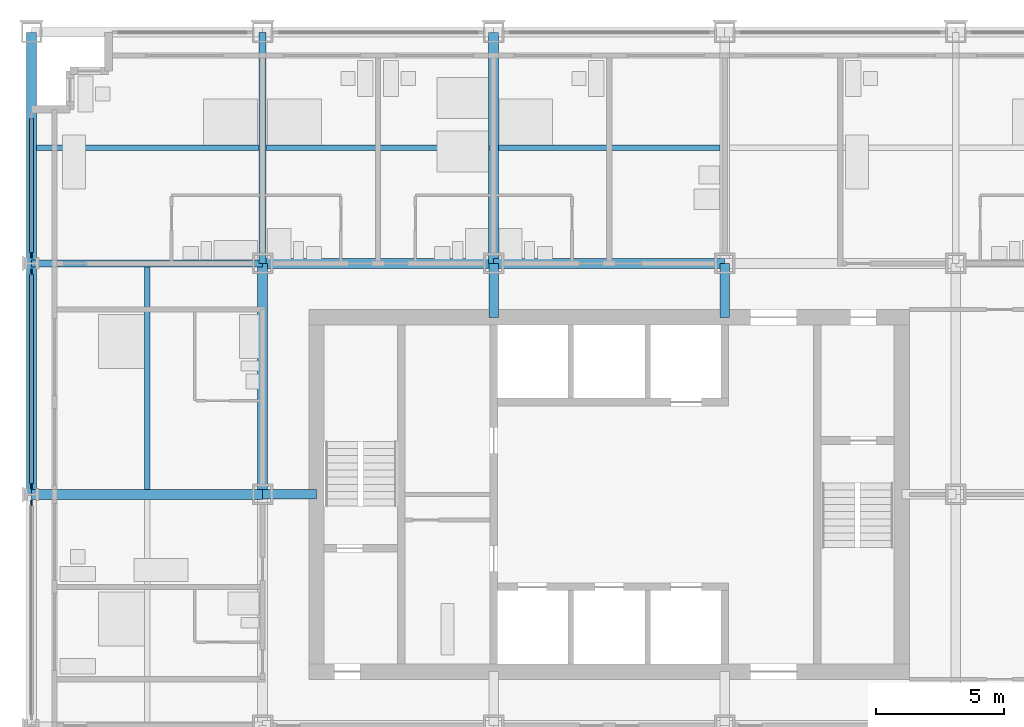
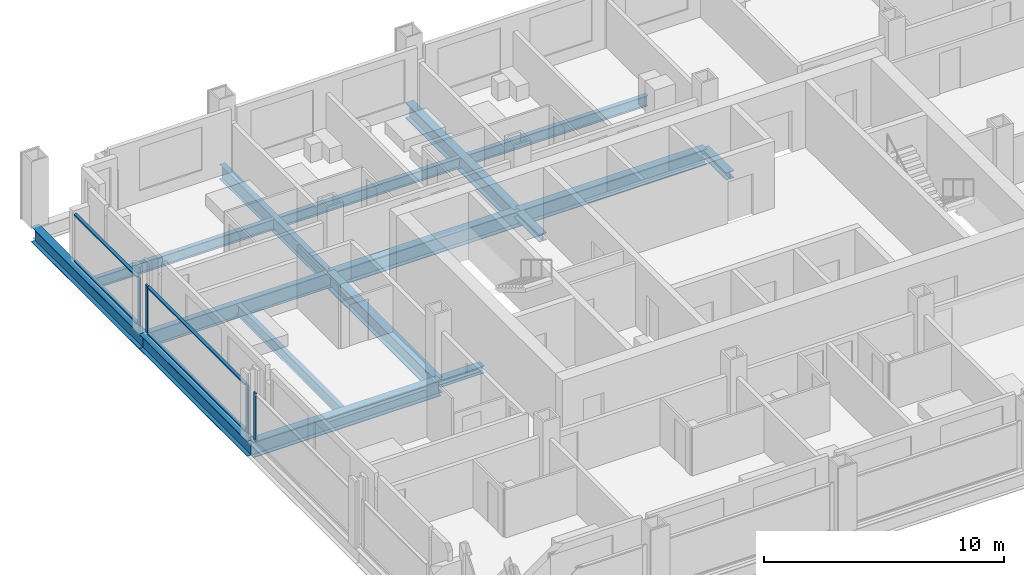
# One storey, part 4 of 18: 13 beams, 11 members, 3 elements without a shape of their own.
"""IFC4 building model written with IfcOpenShell, lengths in metres."""

from ifc_helpers import new_model, si_unit, direction, frame, origin, origin_2d, place, context, subcontext, project, spatial, rectangle, i_section, extrude, material, material_profile, profile_set, type_object, element, aggregate, save


model = new_model("IFC4")

# Units and contexts
model_context = context("Model", 3, precision=1e-05, world=origin(), true_north=direction((0.0, 1.0)))
body_context = subcontext(model_context, "Body", "Model", "MODEL_VIEW")
ifc_project = project(units=[si_unit("LENGTHUNIT", "METRE"), si_unit("AREAUNIT", "SQUARE_METRE"), si_unit("VOLUMEUNIT", "CUBIC_METRE"), si_unit("PLANEANGLEUNIT", "RADIAN"), si_unit("MASSUNIT", "GRAM", prefix="KILO")], contexts=[model_context])

# Site, building, storey
site_placement = place(None, origin())
site = spatial("IfcSite", under=ifc_project, at=site_placement, CompositionType="ELEMENT")
building_placement = place(site_placement, origin())
building = spatial("IfcBuilding", under=site, at=building_placement, Name="Loomwork Tower", CompositionType="ELEMENT")
storey_placement = place(building_placement, frame((0.0, 0.0, 62.0)))
storey = spatial("IfcBuildingStorey", under=building, at=storey_placement, Name="L15", CompositionType="ELEMENT", Elevation=62.0)

# Beams
ifc_material_1 = material(Name="Steel ASTM A992", Category="steel")
ifc_material_profile_1 = material_profile(ifc_material_1, i_section(OverallWidth=0.383544921875, OverallDepth=0.794921875, WebThickness=0.02099609375, FlangeThickness=0.0380859375, at=origin_2d()), Name="W30x235")
ifc_profile_set_1 = profile_set([ifc_material_profile_1], Name="Steel ASTM A992")
beam_type_1 = type_object("IfcBeamType", Name="CORE FLANK GIRDER W30x235", PredefinedType="BEAM", material=ifc_profile_set_1)
for number, where, z_axis, x_axis, name in (
    (1, (0.0, 18.0, -0.597412109375), (1.0, 0.0, 0.0), (0.0, 1.0, 0.0), "Core Flank Girder F/2-F/3 L15"),
    (2, (9.0, 27.0, -0.597412109375), (1.0, 0.0, 0.0), (0.0, 1.0, 0.0), "Core Flank Girder G/3-G/4 L15"),
    (3, (18.0, 27.0, -0.597412109375), (1.0, 0.0, 0.0), (0.0, 1.0, 0.0), "Core Flank Girder G/4-G/5 L15"),
    (4, (9.0, 18.0, -0.597412109375), (0.0, 1.0, 0.0), (-1.0, 0.0, 0.0), "Core Flank Girder F/3-G/3 L15"),
    (5, (18.0, 27.0, -0.597412109375), (0.0, 1.0, 0.0), (-1.0, 0.0, 0.0), "Core Flank Girder G/4-H/4 L15"),
):
    element("IfcBeam", number, at=place(storey_placement, frame(where, z_axis=z_axis, x_axis=x_axis)), inside=storey, type_object=beam_type_1, Name=name, PredefinedType="BEAM", context=body_context, shape_type="SweptSolid", body=[
        extrude(i_section(OverallWidth=0.383544921875, OverallDepth=0.794921875, WebThickness=0.02099609375, FlangeThickness=0.0380859375, at=origin_2d()), origin(), (0.0, 0.0, 1.0), 9.0),
    ])

# Members
ifc_material_2 = material(Name="Steel ASTM A992", Category="steel")
ifc_material_profile_2 = material_profile(ifc_material_2, i_section(OverallWidth=0.373291015625, OverallDepth=0.373291015625, WebThickness=0.016357421875, FlangeThickness=0.026123046875, at=origin_2d()), Name="W14x132")
ifc_profile_set_2 = profile_set([ifc_material_profile_2], Name="Steel ASTM A992")
member_type_1 = type_object("IfcMemberType", Name="CORE LINK STRUT W14x132", PredefinedType="STRUT", material=ifc_profile_set_2)
for number, where, z_axis, x_axis, name in (
    (6, (27.0, 27.0, -0.38671875), (0.0, -1.0, 0.0), (1.0, 0.0, 0.0), "Core link strut G/5-27.000,24.900 L15"),
    (7, (18.0, 27.0, -0.38671875), (0.0, -1.0, 0.0), (1.0, 0.0, 0.0), "Core link strut G/4-18.000,24.900 L15"),
    (8, (9.0, 18.0, -0.38671875), (1.0, 0.0, 0.0), (0.0, 1.0, 0.0), "Core link strut F/3-11.100,18.000 L15"),
):
    element("IfcMember", number, at=place(storey_placement, frame(where, z_axis=z_axis, x_axis=x_axis)), inside=storey, type_object=member_type_1, Name=name, PredefinedType="STRUT", context=body_context, shape_type="SweptSolid", body=[
        extrude(i_section(OverallWidth=0.373291015625, OverallDepth=0.373291015625, WebThickness=0.016357421875, FlangeThickness=0.026123046875, at=origin_2d()), origin(), (0.0, 0.0, 1.0), 2.10009765625),
    ])

# Beams
ifc_material_3 = material(Name="Steel ASTM A992", Category="steel")
ifc_material_profile_3 = material_profile(ifc_material_3, i_section(OverallWidth=0.2666015625, OverallDepth=0.761962890625, WebThickness=0.014404296875, FlangeThickness=0.021484375, at=origin_2d()), Name="W30x116")
ifc_profile_set_3 = profile_set([ifc_material_profile_3], Name="Steel ASTM A992")
beam_type_2 = type_object("IfcBeamType", Name="FLOOR GIRDER W30x116", PredefinedType="BEAM", material=ifc_profile_set_3)
for number, where, z_axis, x_axis, name in (
    (9, (0.0, 27.0, -0.5810546875), (1.0, 0.0, 0.0), (0.0, 1.0, 0.0), "Floor Girder G/2-G/3 L15"),
    (10, (9.0, 27.0, -0.5810546875), (0.0, 1.0, 0.0), (-1.0, 0.0, 0.0), "Floor Girder G/3-H/3 L15"),
):
    element("IfcBeam", number, at=place(storey_placement, frame(where, z_axis=z_axis, x_axis=x_axis)), inside=storey, type_object=beam_type_2, Name=name, PredefinedType="BEAM", context=body_context, shape_type="SweptSolid", body=[
        extrude(i_section(OverallWidth=0.2666015625, OverallDepth=0.761962890625, WebThickness=0.014404296875, FlangeThickness=0.021484375, at=origin_2d()), origin(), (0.0, 0.0, 1.0), 9.0),
    ])
ifc_material_4 = material(Name="Steel ASTM A992", Category="steel")
ifc_material_profile_4 = material_profile(ifc_material_4, i_section(OverallWidth=0.2109375, OverallDepth=0.53857421875, WebThickness=0.011474609375, FlangeThickness=0.018798828125, at=origin_2d()), Name="W21x73")
ifc_profile_set_4 = profile_set([ifc_material_profile_4], Name="Steel ASTM A992")
beam_type_3 = type_object("IfcBeamType", Name="FLOOR JOIST W21x73", PredefinedType="JOIST", material=ifc_profile_set_4)
beam_1_placement = place(storey_placement, frame((4.5, 18.19091796875, -0.46923828125), z_axis=(0.0, 1.0, 0.0), x_axis=(-1.0, 0.0, 0.0)))
element("IfcBeam", 11, at=beam_1_placement, inside=storey, type_object=beam_type_3, Name="Floor Joist 4.500,18.000-4.500,27.000 L15", PredefinedType="JOIST", context=body_context, shape_type="SweptSolid", body=[
    extrude(i_section(OverallWidth=0.2109375, OverallDepth=0.53857421875, WebThickness=0.011474609375, FlangeThickness=0.018798828125, at=origin_2d()), origin(), (0.0, 0.0, 1.0), 8.676025390625),
])
beam_2_placement = place(storey_placement, frame((0.18994140625, 31.5, -0.46923828125), z_axis=(1.0, 0.0, 0.0), x_axis=(0.0, 1.0, 0.0)))
element("IfcBeam", 12, at=beam_2_placement, inside=storey, type_object=beam_type_3, Name="Floor Joist 0.000,31.500-9.000,31.500 L15", PredefinedType="JOIST", context=body_context, shape_type="SweptSolid", body=[
    extrude(i_section(OverallWidth=0.2109375, OverallDepth=0.53857421875, WebThickness=0.011474609375, FlangeThickness=0.018798828125, at=origin_2d()), origin(), (0.0, 0.0, 1.0), 8.677001953125),
])
beam_3_placement = place(storey_placement, frame((9.133056640625, 31.5, -0.46923828125), z_axis=(1.0, 0.0, 0.0), x_axis=(0.0, 1.0, 0.0)))
element("IfcBeam", 13, at=beam_3_placement, inside=storey, type_object=beam_type_3, Name="Floor Joist 9.000,31.500-18.000,31.500 L15", PredefinedType="JOIST", context=body_context, shape_type="SweptSolid", body=[
    extrude(i_section(OverallWidth=0.2109375, OverallDepth=0.53857421875, WebThickness=0.011474609375, FlangeThickness=0.018798828125, at=origin_2d()), origin(), (0.0, 0.0, 1.0), 8.676025390625),
])
beam_4_placement = place(storey_placement, frame((18.19091796875, 31.5, -0.46923828125), z_axis=(1.0, 0.0, 0.0), x_axis=(0.0, 1.0, 0.0)))
element("IfcBeam", 14, at=beam_4_placement, inside=storey, type_object=beam_type_3, Name="Floor Joist 18.000,31.500-27.000,31.500 L15", PredefinedType="JOIST", context=body_context, shape_type="SweptSolid", body=[
    extrude(i_section(OverallWidth=0.2109375, OverallDepth=0.53857421875, WebThickness=0.011474609375, FlangeThickness=0.018798828125, at=origin_2d()), origin(), (0.0, 0.0, 1.0), 8.6181640625),
])

# Curtain wall, member
ifc_material_5 = material(Name="Aluminium curtain wall frame", Category="aluminium")
curtain_wall_type = type_object("IfcCurtainWallType", Name="Outer skin glazing hotel", PredefinedType="NOTDEFINED", material=ifc_material_5)
curtain_wall_1_placement = place(storey_placement, origin())
curtain_wall_1 = element("IfcCurtainWall", 15, at=curtain_wall_1_placement, inside=storey, type_object=curtain_wall_type, Name="Outer skin glazing hotel cw/W-9", PredefinedType="NOTDEFINED")
ifc_material_6 = material(Name="Aluminium curtain wall frame", Category="aluminium")
ifc_material_profile_5 = material_profile(ifc_material_6, rectangle(XDim=0.06494140625, YDim=0.199951171875, at=origin_2d()), Name="AL 65x200")
ifc_profile_set_5 = profile_set([ifc_material_profile_5], Name="Aluminium curtain wall frame")
member_type_2 = type_object("IfcMemberType", Name="Outer skin glazing hotel mullion", PredefinedType="MULLION", material=ifc_profile_set_5)
member_1_placement = place(storey_placement, frame((0.0, 17.672607421875, 0.0), z_axis=(0.0, 0.0, 1.0), x_axis=(1.0, 0.0, 0.0)))
member_1 = element("IfcMember", 16, at=member_1_placement, type_object=member_type_2, Name="CW1 mullion 1", PredefinedType="MULLION", context=body_context, shape_type="SweptSolid", body=[
    extrude(rectangle(XDim=0.06494140625, YDim=0.199951171875, at=origin_2d()), origin(), (0.0, 0.0, 1.0), 2.420166015625),
])
aggregate(curtain_wall_1, [member_1])

# Curtain wall, members
curtain_wall_2_placement = place(storey_placement, origin())
curtain_wall_2 = element("IfcCurtainWall", 17, at=curtain_wall_2_placement, inside=storey, type_object=curtain_wall_type, Name="Outer skin glazing hotel cw/W-18", PredefinedType="NOTDEFINED")
member_2_placement = place(storey_placement, frame((0.0, 26.672607421875, 0.0), z_axis=(0.0, 0.0, 1.0), x_axis=(1.0, 0.0, 0.0)))
member_2 = element("IfcMember", 18, at=member_2_placement, type_object=member_type_2, Name="CW1 mullion 1", PredefinedType="MULLION", context=body_context, shape_type="SweptSolid", body=[
    extrude(rectangle(XDim=0.06494140625, YDim=0.199951171875, at=origin_2d()), origin(), (0.0, 0.0, 1.0), 2.420166015625),
])
member_3_placement = place(storey_placement, frame((0.0, 18.327392578125, 0.0), z_axis=(0.0, 0.0, 1.0), x_axis=(1.0, 0.0, 0.0)))
member_3 = element("IfcMember", 19, at=member_3_placement, type_object=member_type_2, Name="CW1 mullion 2", PredefinedType="MULLION", context=body_context, shape_type="SweptSolid", body=[
    extrude(rectangle(XDim=0.06494140625, YDim=0.199951171875, at=origin_2d()), origin(), (0.0, 0.0, 1.0), 2.420166015625),
])

# Curtain wall, member
curtain_wall_3_placement = place(storey_placement, origin())
curtain_wall_3 = element("IfcCurtainWall", 20, at=curtain_wall_3_placement, inside=storey, type_object=curtain_wall_type, Name="Outer skin glazing hotel cw/W-27", PredefinedType="NOTDEFINED")
member_4_placement = place(storey_placement, frame((0.0, 27.327392578125, 0.0), z_axis=(0.0, 0.0, 1.0), x_axis=(1.0, 0.0, 0.0)))
member_4 = element("IfcMember", 21, at=member_4_placement, type_object=member_type_2, Name="CW1 mullion 2", PredefinedType="MULLION", context=body_context, shape_type="SweptSolid", body=[
    extrude(rectangle(XDim=0.06494140625, YDim=0.199951171875, at=origin_2d()), origin(), (0.0, 0.0, 1.0), 2.420166015625),
])

# Member
ifc_material_7 = material(Name="Aluminium curtain wall frame", Category="aluminium")
ifc_material_profile_6 = material_profile(ifc_material_7, rectangle(XDim=0.14990234375, YDim=0.06494140625, at=origin_2d()), Name="AL 65x150")
ifc_profile_set_6 = profile_set([ifc_material_profile_6], Name="Aluminium curtain wall frame")
member_type_3 = type_object("IfcMemberType", Name="Outer skin glazing hotel transom", PredefinedType="USERDEFINED", material=ifc_profile_set_6)
member_5_placement = place(storey_placement, frame((0.0, 26.57275390625, 0.032470703125), z_axis=(0.0, -1.0, 0.0), x_axis=(1.0, 0.0, 0.0)))
member_5 = element("IfcMember", 22, at=member_5_placement, type_object=member_type_3, Name="CW1 transom 1.1", ObjectType="TRANSOM", PredefinedType="USERDEFINED", context=body_context, shape_type="SweptSolid", body=[
    extrude(rectangle(XDim=0.14990234375, YDim=0.06494140625, at=origin_2d()), origin(), (0.0, 0.0, 1.0), 8.1455078125),
])

member_6_placement = place(storey_placement, frame((0.0, 26.57275390625, 2.3876953125), z_axis=(0.0, -1.0, 0.0), x_axis=(1.0, 0.0, 0.0)))
member_6 = element("IfcMember", 23, at=member_6_placement, type_object=member_type_3, Name="CW1 transom 1.2", ObjectType="TRANSOM", PredefinedType="USERDEFINED", context=body_context, shape_type="SweptSolid", body=[
    extrude(rectangle(XDim=0.14990234375, YDim=0.06494140625, at=origin_2d()), origin(), (0.0, 0.0, 1.0), 8.1455078125),
])

aggregate(curtain_wall_2, [member_2, member_3, member_5, member_6])

member_7_placement = place(storey_placement, frame((0.0, 32.64990234375, 0.032470703125), z_axis=(0.0, -1.0, 0.0), x_axis=(1.0, 0.0, 0.0)))
member_7 = element("IfcMember", 24, at=member_7_placement, type_object=member_type_3, Name="CW1 transom 1.1", ObjectType="TRANSOM", PredefinedType="USERDEFINED", context=body_context, shape_type="SweptSolid", body=[
    extrude(rectangle(XDim=0.14990234375, YDim=0.06494140625, at=origin_2d()), origin(), (0.0, 0.0, 1.0), 5.22265625),
])

member_8_placement = place(storey_placement, frame((0.0, 32.64990234375, 2.3876953125), z_axis=(0.0, -1.0, 0.0), x_axis=(1.0, 0.0, 0.0)))
member_8 = element("IfcMember", 25, at=member_8_placement, type_object=member_type_3, Name="CW1 transom 1.2", ObjectType="TRANSOM", PredefinedType="USERDEFINED", context=body_context, shape_type="SweptSolid", body=[
    extrude(rectangle(XDim=0.14990234375, YDim=0.06494140625, at=origin_2d()), origin(), (0.0, 0.0, 1.0), 5.22265625),
])

aggregate(curtain_wall_3, [member_4, member_7, member_8])

# Beams
ifc_material_8 = material(Name="Steel ASTM A992", Category="steel")
ifc_material_profile_7 = material_profile(ifc_material_8, i_section(OverallWidth=0.381103515625, OverallDepth=0.77978515625, WebThickness=0.01806640625, FlangeThickness=0.0302734375, at=origin_2d()), Name="W30x191")
ifc_profile_set_7 = profile_set([ifc_material_profile_7], Name="Steel ASTM A992")
beam_type_4 = type_object("IfcBeamType", Name="SPANDREL GIRDER W30x191", PredefinedType="SPANDREL", material=ifc_profile_set_7)
for number, where, z_axis, x_axis, name in (
    (26, (0.0, 18.0, -0.58984375), (0.0, 1.0, 0.0), (-1.0, 0.0, 0.0), "Spandrel Girder F/2-G/2 L15"),
    (27, (0.0, 27.0, -0.58984375), (0.0, 1.0, 0.0), (-1.0, 0.0, 0.0), "Spandrel Girder G/2-H/2 L15"),
):
    element("IfcBeam", number, at=place(storey_placement, frame(where, z_axis=z_axis, x_axis=x_axis)), inside=storey, type_object=beam_type_4, Name=name, PredefinedType="SPANDREL", context=body_context, shape_type="SweptSolid", body=[
        extrude(i_section(OverallWidth=0.381103515625, OverallDepth=0.77978515625, WebThickness=0.01806640625, FlangeThickness=0.0302734375, at=origin_2d()), origin(), (0.0, 0.0, 1.0), 9.0),
    ])

save(model, "model.ifc")
